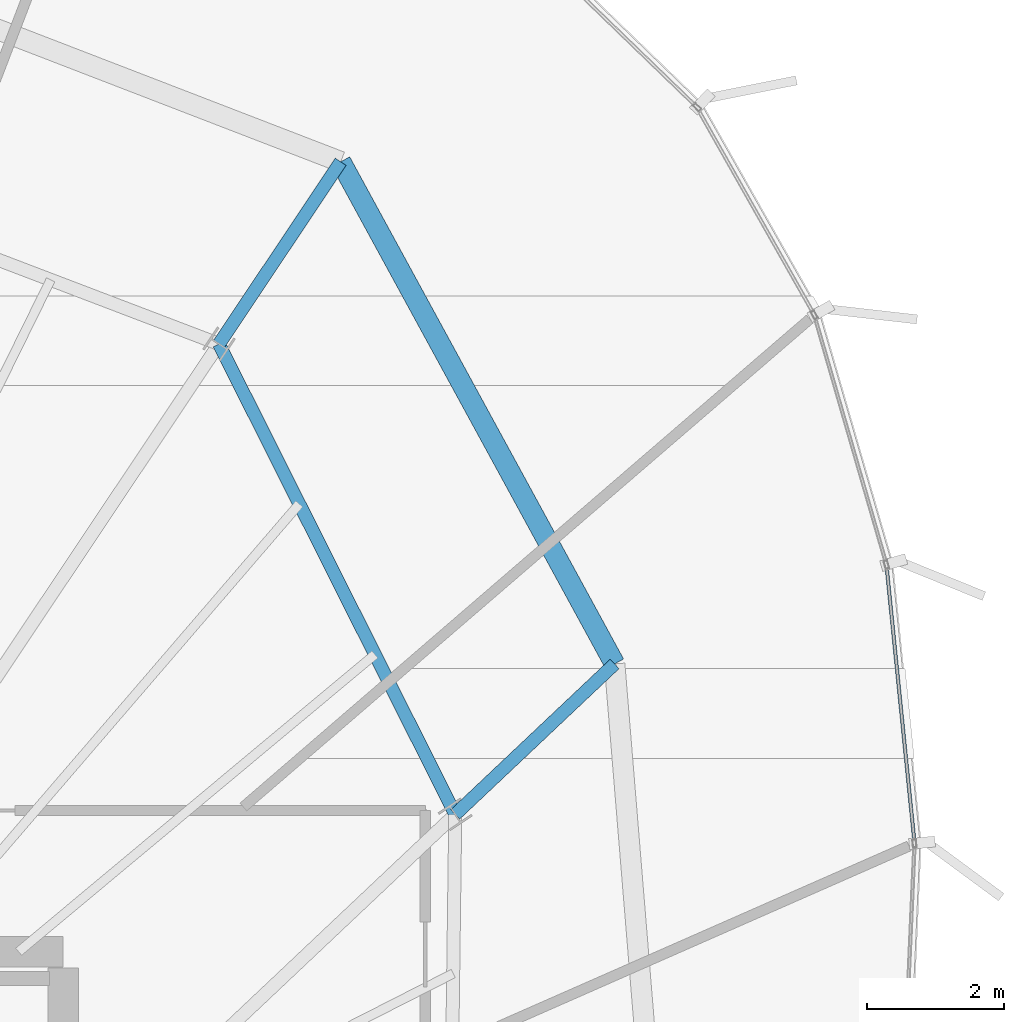
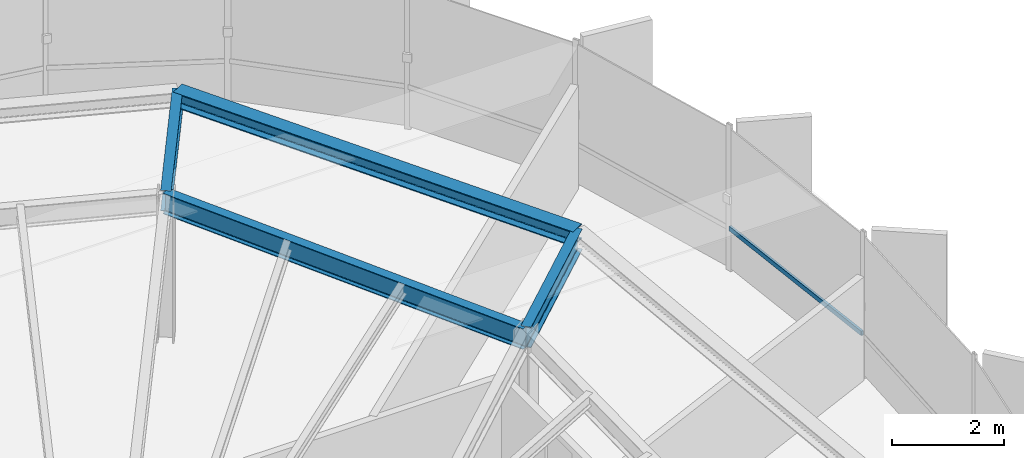
# One storey, part 24 of 33: 4 beams, 1 member, 1 element without a shape of its own.
"""IFC4 building model written with IfcOpenShell, lengths in metres."""

from ifc_helpers import new_model, si_unit, direction, frame, origin, origin_2d, place, context, subcontext, project, spatial, hollow_rectangle, i_section, extrude, source, transform, mapped, material, layer, layer_set, material_profile, profile_set, type_object, element, aggregate, save


model = new_model("IFC4")

# Units and contexts
model_context = context("Model", 3, precision=1e-05, world=origin(), true_north=direction((0.0, 1.0)))
body_context = subcontext(model_context, "Body", "Model", "MODEL_VIEW")
ifc_project = project(units=[si_unit("LENGTHUNIT", "METRE"), si_unit("AREAUNIT", "SQUARE_METRE"), si_unit("VOLUMEUNIT", "CUBIC_METRE"), si_unit("PLANEANGLEUNIT", "RADIAN"), si_unit("MASSUNIT", "GRAM", prefix="KILO"), si_unit("THERMODYNAMICTEMPERATUREUNIT", "KELVIN")], contexts=[model_context])

# Site, building, storey
site_placement = place(None, origin())
site = spatial("IfcSite", under=ifc_project, at=site_placement, CompositionType="ELEMENT")
building_placement = place(site_placement, origin())
building = spatial("IfcBuilding", under=site, at=building_placement, Name="Kethvar Cultural Tower", CompositionType="ELEMENT")
storey_placement = place(building_placement, frame((0.0, 0.0, 256.0)))
storey = spatial("IfcBuildingStorey", under=building, at=storey_placement, Name="L67", CompositionType="ELEMENT", Elevation=256.0)

# Beams
ifc_material_1 = material(Name="Steel S355J2", Category="steel")
ifc_material_profile_1 = material_profile(ifc_material_1, i_section(OverallWidth=0.18994140625, OverallDepth=0.449951171875, WebThickness=0.009521484375, FlangeThickness=0.0146484375, FilletRadius=0.02099609375, at=origin_2d()), Name="Steel S355J2 — IPE450")
ifc_profile_set_1 = profile_set([ifc_material_profile_1], Name="Steel S355J2 — IPE450")
beam_type_1 = type_object("IfcBeamType", Name="BM-IPE450", PredefinedType="BEAM", material=ifc_profile_set_1)
shared_shape_1 = source(origin(), body_context, "Body", "SweptSolid", [
    extrude(i_section(OverallWidth=0.18994140625, OverallDepth=0.449951171875, WebThickness=0.009521484375, FlangeThickness=0.0146484375, FilletRadius=0.02099609375, at=origin_2d()), origin(), (0.0, 0.0, 1.0), 3.199951171875),
])
beam_1_placement = place(storey_placement, frame((61.32568359375, 37.505859375, 2.98291015625), z_axis=(0.727146433404, 0.686482384616, 0.0), x_axis=(-0.686482384616, 0.727146433404, 0.0)))
element("IfcBeam", 1, at=beam_1_placement, inside=storey, type_object=beam_type_1, Name="L67 Perimeter Cantilever Beam RC-02", PredefinedType="BEAM", context=body_context, shape_type="MappedRepresentation", body=[
    mapped(shared_shape_1, transform((0.0, 0.0, 0.0), scale=1.0)),
])
shared_shape_2 = source(origin(), body_context, "Body", "SweptSolid", [
    extrude(i_section(OverallWidth=0.18994140625, OverallDepth=0.449951171875, WebThickness=0.009521484375, FlangeThickness=0.0146484375, FilletRadius=0.02099609375, at=origin_2d()), origin(), (0.0, 0.0, 1.0), 3.2001953125),
])
beam_2_placement = place(storey_placement, frame((57.875244140625, 44.375, 2.98291015625), z_axis=(0.555544970406, 0.831486491686, 0.0), x_axis=(-0.831486491686, 0.555544970406, 0.0)))
element("IfcBeam", 2, at=beam_2_placement, inside=storey, type_object=beam_type_1, Name="L67 Perimeter Cantilever Beam RC-03", PredefinedType="BEAM", context=body_context, shape_type="MappedRepresentation", body=[
    mapped(shared_shape_2, transform((0.0, 0.0, 0.0), scale=1.0)),
])
shared_shape_3 = source(origin(), body_context, "Body", "SweptSolid", [
    extrude(i_section(OverallWidth=0.18994140625, OverallDepth=0.449951171875, WebThickness=0.009521484375, FlangeThickness=0.0146484375, FilletRadius=0.02099609375, at=origin_2d()), origin(), (0.0, 0.0, 1.0), 7.68701171875),
])
beam_3_placement = place(storey_placement, frame((61.32568359375, 37.505859375, 2.98291015625), z_axis=(-0.448864354142, 0.893599905763, 0.0), x_axis=(-0.893599905763, -0.448864354142, 0.0)))
element("IfcBeam", 3, at=beam_3_placement, inside=storey, type_object=beam_type_1, Name="L67 Column Ring Tie Beam CR-02", PredefinedType="BEAM", context=body_context, shape_type="MappedRepresentation", body=[
    mapped(shared_shape_3, transform((0.0, 0.0, 0.0), scale=1.0)),
])
ifc_material_profile_2 = material_profile(ifc_material_1, i_section(OverallWidth=0.300048828125, OverallDepth=0.320068359375, WebThickness=0.011474609375, FlangeThickness=0.0205078125, FilletRadius=0.027099609375, at=origin_2d()), Name="Steel S355J2 — HEB320")
ifc_profile_set_2 = profile_set([ifc_material_profile_2], Name="Steel S355J2 — HEB320")
beam_type_2 = type_object("IfcBeamType", Name="BM-SP320", PredefinedType="SPANDREL", material=ifc_profile_set_2)
shared_shape_4 = source(origin(), body_context, "Body", "SweptSolid", [
    extrude(i_section(OverallWidth=0.300048828125, OverallDepth=0.320068359375, WebThickness=0.011474609375, FlangeThickness=0.0205078125, FilletRadius=0.027099609375, at=origin_2d()), origin(), (0.0, 0.0, 1.0), 8.35302734375),
])
beam_4_placement = place(storey_placement, frame((63.652587890625, 39.70263671875, 3.048095703125), z_axis=(-0.478811173891, 0.877917911742, 0.0), x_axis=(-0.877917911742, -0.478811173891, 0.0)))
element("IfcBeam", 4, at=beam_4_placement, inside=storey, type_object=beam_type_2, Name="L67 Perimeter Spandrel Beam SP-02", PredefinedType="SPANDREL", context=body_context, shape_type="MappedRepresentation", body=[
    mapped(shared_shape_4, transform((0.0, 0.0, 0.0), scale=1.0)),
])

# Curtain wall, member
ifc_material_2 = material(Name="Aluminium 6063-T6", Category="aluminium")
ifc_layer = layer(ifc_material_2, 0.179931640625, Name="Aluminium 6063-T6", Category="aluminium")
ifc_layer_set = layer_set([ifc_layer], Name="Aluminium 6063-T6 (180 mm)")
curtain_wall_type = type_object("IfcCurtainWallType", Name="CW-SYS-05-Z56", PredefinedType="NOTDEFINED", material=ifc_layer_set)
curtain_wall_placement = place(storey_placement, origin())
curtain_wall = element("IfcCurtainWall", 5, at=curtain_wall_placement, inside=storey, type_object=curtain_wall_type, Name="L67 Curtain Wall Run 06", PredefinedType="NOTDEFINED")
ifc_material_profile_3 = material_profile(ifc_material_2, hollow_rectangle(XDim=0.050048828125, YDim=0.10009765625, WallThickness=0.00390625, at=origin_2d()), Name="Aluminium 6063-T6 — RHS100x50x4")
ifc_profile_set_3 = profile_set([ifc_material_profile_3], Name="Aluminium 6063-T6 — RHS100x50x4")
member_type = type_object("IfcMemberType", Name="CW-SYS-05-Z56-TRN", PredefinedType="USERDEFINED", material=ifc_profile_set_3)
shared_shape_5 = source(origin(), body_context, "Body", "SweptSolid", [
    extrude(hollow_rectangle(XDim=0.050048828125, YDim=0.10009765625, WallThickness=0.00390625, at=origin_2d()), origin(), (0.0, 0.0, 1.0), 4.0322265625),
])
member_placement = place(storey_placement, frame((68.029052734375, 37.119384765625, 0.949951171875), z_axis=(-0.100510814468, 0.994935965867, 0.0), x_axis=(-0.994935965867, -0.100510814468, 0.0)))
member = element("IfcMember", 6, at=member_placement, type_object=member_type, Name="CW-L67-R06 Transom 3", ObjectType="TRANSOM", PredefinedType="USERDEFINED", context=body_context, shape_type="MappedRepresentation", body=[
    mapped(shared_shape_5, transform((0.0, 0.0, 0.0), scale=1.0)),
])
aggregate(curtain_wall, [member])

save(model, "model.ifc")
